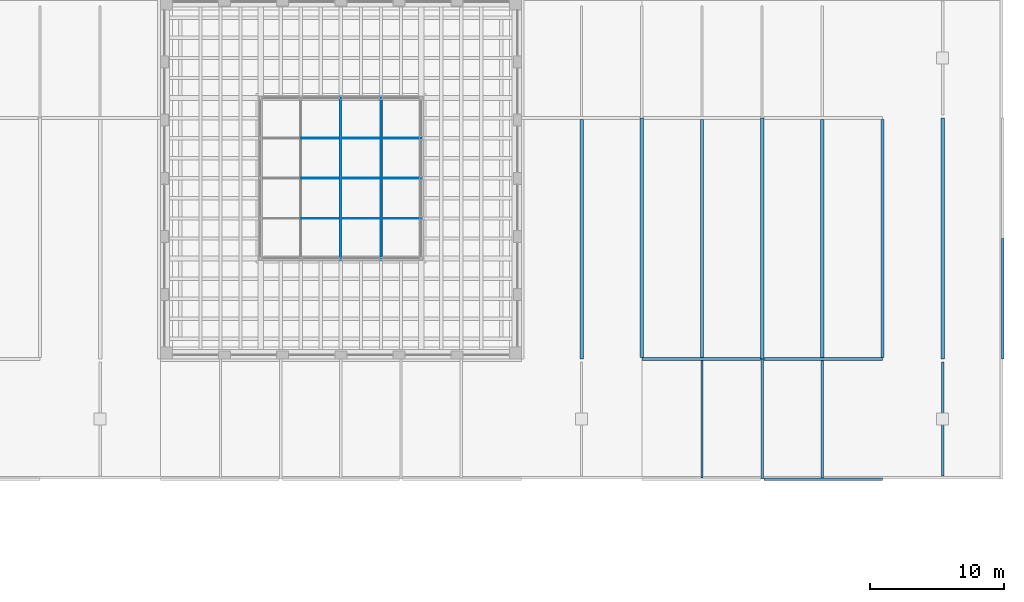
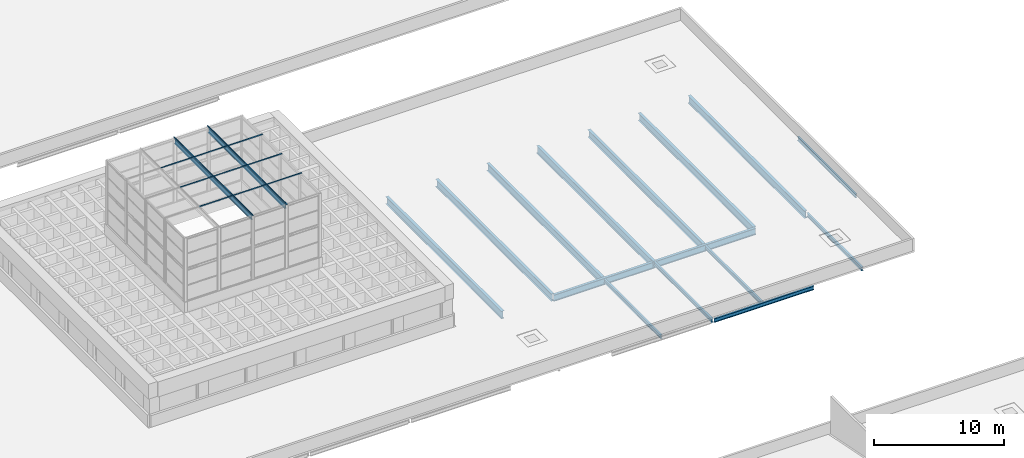
# One storey, part 30 of 50: 17 beams, 11 members, 1 element without a shape of its own.
"""IFC4 building model written with IfcOpenShell, lengths in metres."""

from ifc_helpers import new_model, si_unit, direction, frame, origin, origin_2d, place, context, subcontext, project, spatial, rectangle, i_section, extrude, material, layer, layer_set, material_profile, profile_set, type_object, element, aggregate, save


model = new_model("IFC4")

# Units and contexts
model_context = context("Model", 3, precision=1e-05, world=origin(), true_north=direction((0.0, 1.0)))
body_context = subcontext(model_context, "Body", "Model", "MODEL_VIEW")
ifc_project = project(units=[si_unit("LENGTHUNIT", "METRE"), si_unit("AREAUNIT", "SQUARE_METRE"), si_unit("VOLUMEUNIT", "CUBIC_METRE"), si_unit("PLANEANGLEUNIT", "RADIAN"), si_unit("MASSUNIT", "GRAM", prefix="KILO")], contexts=[model_context])

# Site, building, storey
site_placement = place(None, origin())
site = spatial("IfcSite", under=ifc_project, at=site_placement, CompositionType="ELEMENT")
building_placement = place(site_placement, origin())
building = spatial("IfcBuilding", under=site, at=building_placement, Name="Corbel Yard City Hall", CompositionType="ELEMENT")
storey_placement = place(building_placement, frame((0.0, 0.0, 15.0)))
storey = spatial("IfcBuildingStorey", under=building, at=storey_placement, Name="L03", CompositionType="ELEMENT", Elevation=15.0)

# Beams
ifc_material_1 = material(Name="Steel Grade 300 (300 MPa yield)", Category="steel")
ifc_material_profile_1 = material_profile(ifc_material_1, i_section(OverallWidth=0.1708984375, OverallDepth=0.35205078125, WebThickness=0.0068359375, FlangeThickness=0.009765625, at=origin_2d()), Name="360UB44.7")
ifc_profile_set_1 = profile_set([ifc_material_profile_1], Name="Steel Grade 300 (300 MPa yield)")
beam_type_1 = type_object("IfcBeamType", Name="Beam 360UB44.7", PredefinedType="BEAM", material=ifc_profile_set_1)
beam_1_placement = place(storey_placement, frame((162.0, 45.00439453125, -0.325927734375), z_axis=(0.0, 1.0, 0.0), x_axis=(-1.0, 0.0, 0.0)))
element("IfcBeam", 1, at=beam_1_placement, inside=storey, type_object=beam_type_1, Name="Beam 360UB44.7 SB13 L03roof", PredefinedType="BEAM", context=body_context, shape_type="SweptSolid", body=[
    extrude(i_section(OverallWidth=0.1708984375, OverallDepth=0.35205078125, WebThickness=0.0068359375, FlangeThickness=0.009765625, at=origin_2d()), origin(), (0.0, 0.0, 1.0), 8.990234375),
])
ifc_material_profile_2 = material_profile(ifc_material_1, i_section(OverallWidth=0.172119140625, OverallDepth=0.35888671875, WebThickness=0.008056640625, FlangeThickness=0.012939453125, at=origin_2d()), Name="360UB56.7")
ifc_profile_set_2 = profile_set([ifc_material_profile_2], Name="Steel Grade 300 (300 MPa yield)")
beam_type_2 = type_object("IfcBeamType", Name="Edge beam 360UB56.7", PredefinedType="BEAM", material=ifc_profile_set_2)
beam_2_placement = place(storey_placement, frame((162.126953125, 45.0, -0.32958984375), z_axis=(1.0, 0.0, 0.0), x_axis=(0.0, 1.0, 0.0)))
element("IfcBeam", 2, at=beam_2_placement, inside=storey, type_object=beam_type_2, Name="Edge beam 360UB56.7 EB4 L03roof", PredefinedType="BEAM", context=body_context, shape_type="SweptSolid", body=[
    extrude(i_section(OverallWidth=0.172119140625, OverallDepth=0.35888671875, WebThickness=0.008056640625, FlangeThickness=0.012939453125, at=origin_2d()), origin(), (0.0, 0.0, 1.0), 8.873046875),
])
beam_3_placement = place(storey_placement, frame((180.0, 54.0, -0.32958984375), z_axis=(0.0, 1.0, 0.0), x_axis=(-1.0, 0.0, 0.0)))
element("IfcBeam", 3, at=beam_3_placement, inside=storey, type_object=beam_type_2, Name="Edge beam 360UB56.7 EB4 L03roof", PredefinedType="BEAM", context=body_context, shape_type="SweptSolid", body=[
    extrude(i_section(OverallWidth=0.172119140625, OverallDepth=0.35888671875, WebThickness=0.008056640625, FlangeThickness=0.012939453125, at=origin_2d()), origin(), (0.0, 0.0, 1.0), 8.99560546875),
])
ifc_material_profile_3 = material_profile(ifc_material_1, i_section(OverallWidth=0.22900390625, OverallDepth=0.612060546875, WebThickness=0.011962890625, FlangeThickness=0.01953125, at=origin_2d()), Name="610UB125")
ifc_profile_set_3 = profile_set([ifc_material_profile_3], Name="Steel Grade 300 (300 MPa yield)")
beam_type_3 = type_object("IfcBeamType", Name="Girder 610UB125", PredefinedType="BEAM", material=ifc_profile_set_3)
for number, where, z_axis, x_axis, name in (
    (4, (153.0, 54.0, -0.4560546875), (1.0, 0.0, 0.0), (0.0, 1.0, 0.0), "Girder 610UB125 GB1 L03roof"),
    (5, (162.1298828125, 54.0, -0.4560546875), (1.0, 0.0, 0.0), (0.0, 1.0, 0.0), "Girder 610UB125 GB1 L03roof"),
):
    element("IfcBeam", number, at=place(storey_placement, frame(where, z_axis=z_axis, x_axis=x_axis)), inside=storey, type_object=beam_type_3, Name=name, PredefinedType="BEAM", context=body_context, shape_type="SweptSolid", body=[
        extrude(i_section(OverallWidth=0.22900390625, OverallDepth=0.612060546875, WebThickness=0.011962890625, FlangeThickness=0.01953125, at=origin_2d()), origin(), (0.0, 0.0, 1.0), 8.8701171875),
    ])
ifc_material_profile_4 = material_profile(ifc_material_1, i_section(OverallWidth=0.18994140625, OverallDepth=0.4541015625, WebThickness=0.008544921875, FlangeThickness=0.0126953125, at=origin_2d()), Name="460UB67.1")
ifc_profile_set_4 = profile_set([ifc_material_profile_4], Name="Steel Grade 300 (300 MPa yield)")
beam_type_4 = type_object("IfcBeamType", Name="Lantern roof beam 460UB67.1", PredefinedType="JOIST", material=ifc_profile_set_4)
for number, where, z_axis, x_axis, name in (
    (6, (130.5, 61.550048828125, 10.423095703125), (0.0, 1.0, 0.0), (-1.0, 0.0, 0.0), "Lantern roof beam 460UB67.1 SB23"),
    (7, (133.5, 61.550048828125, 10.423095703125), (0.0, 1.0, 0.0), (-1.0, 0.0, 0.0), "Lantern roof beam 460UB67.1 SB23"),
):
    element("IfcBeam", number, at=place(storey_placement, frame(where, z_axis=z_axis, x_axis=x_axis)), inside=storey, type_object=beam_type_4, Name=name, PredefinedType="JOIST", context=body_context, shape_type="SweptSolid", body=[
        extrude(i_section(OverallWidth=0.18994140625, OverallDepth=0.4541015625, WebThickness=0.008544921875, FlangeThickness=0.0126953125, at=origin_2d()), origin(), (0.0, 0.0, 1.0), 11.89990234375),
    ])
ifc_material_2 = material(Name="Steel Grade 350", Category="steel")
ifc_material_profile_5 = material_profile(ifc_material_2, i_section(OverallWidth=0.25, OverallDepth=0.699951171875, WebThickness=0.010009765625, FlangeThickness=0.02001953125, at=origin_2d()), Name="700WB130")
ifc_profile_set_5 = profile_set([ifc_material_profile_5], Name="Steel Grade 350")
beam_type_5 = type_object("IfcBeamType", Name="Long-span beam 700WB130", PredefinedType="BEAM", material=ifc_profile_set_5)
beam_4_placement = place(storey_placement, frame((153.0, 54.114501953125, -0.5), z_axis=(0.0, 1.0, 0.0), x_axis=(-1.0, 0.0, 0.0)))
element("IfcBeam", 8, at=beam_4_placement, inside=storey, type_object=beam_type_5, Name="Long-span beam 700WB130 SB18 L03roof", PredefinedType="BEAM", context=body_context, shape_type="SweptSolid", body=[
    extrude(i_section(OverallWidth=0.25, OverallDepth=0.699951171875, WebThickness=0.010009765625, FlangeThickness=0.02001953125, at=origin_2d()), origin(), (0.0, 0.0, 1.0), 17.880126953125),
])
beam_5_placement = place(storey_placement, frame((162.0, 54.00537109375, -0.5), z_axis=(0.0, 1.0, 0.0), x_axis=(-1.0, 0.0, 0.0)))
element("IfcBeam", 9, at=beam_5_placement, inside=storey, type_object=beam_type_5, Name="Long-span beam 700WB130 SB18 L03roof", PredefinedType="BEAM", context=body_context, shape_type="SweptSolid", body=[
    extrude(i_section(OverallWidth=0.25, OverallDepth=0.699951171875, WebThickness=0.010009765625, FlangeThickness=0.02001953125, at=origin_2d()), origin(), (0.0, 0.0, 1.0), 17.9892578125),
])
beam_6_placement = place(storey_placement, frame((171.0, 54.114501953125, -0.5), z_axis=(0.0, 1.0, 0.0), x_axis=(-1.0, 0.0, 0.0)))
element("IfcBeam", 10, at=beam_6_placement, inside=storey, type_object=beam_type_5, Name="Long-span beam 700WB130 SB18 L03roof", PredefinedType="BEAM", context=body_context, shape_type="SweptSolid", body=[
    extrude(i_section(OverallWidth=0.25, OverallDepth=0.699951171875, WebThickness=0.010009765625, FlangeThickness=0.02001953125, at=origin_2d()), origin(), (0.0, 0.0, 1.0), 17.77099609375),
])
ifc_material_profile_6 = material_profile(ifc_material_2, i_section(OverallWidth=0.25, OverallDepth=0.699951171875, WebThickness=0.010009765625, FlangeThickness=0.02001953125, at=origin_2d()), Name="700WB130")
ifc_profile_set_6 = profile_set([ifc_material_profile_6], Name="Steel Grade 350")
beam_type_6 = type_object("IfcBeamType", Name="Long-span secondary beam 700WB130", PredefinedType="JOIST", material=ifc_profile_set_6)
beam_7_placement = place(storey_placement, frame((148.5, 54.0, -0.5), z_axis=(0.0, 1.0, 0.0), x_axis=(-1.0, 0.0, 0.0)))
element("IfcBeam", 11, at=beam_7_placement, inside=storey, type_object=beam_type_6, Name="Long-span secondary beam 700WB130 SB16 L03roof", PredefinedType="JOIST", context=body_context, shape_type="SweptSolid", body=[
    extrude(i_section(OverallWidth=0.25, OverallDepth=0.699951171875, WebThickness=0.010009765625, FlangeThickness=0.02001953125, at=origin_2d()), origin(), (0.0, 0.0, 1.0), 17.885498046875),
])
for number, where, z_axis, x_axis, name in (
    (12, (157.5, 54.114501953125, -0.5), (0.0, 1.0, 0.0), (-1.0, 0.0, 0.0), "Long-span secondary beam 700WB130 SB16 L03roof"),
    (13, (166.5, 54.114501953125, -0.5), (0.0, 1.0, 0.0), (-1.0, 0.0, 0.0), "Long-span secondary beam 700WB130 SB16 L03roof"),
):
    element("IfcBeam", number, at=place(storey_placement, frame(where, z_axis=z_axis, x_axis=x_axis)), inside=storey, type_object=beam_type_6, Name=name, PredefinedType="JOIST", context=body_context, shape_type="SweptSolid", body=[
        extrude(i_section(OverallWidth=0.25, OverallDepth=0.699951171875, WebThickness=0.010009765625, FlangeThickness=0.02001953125, at=origin_2d()), origin(), (0.0, 0.0, 1.0), 17.77099609375),
    ])
beam_8_placement = place(storey_placement, frame((175.5, 54.0, -0.5), z_axis=(0.0, 1.0, 0.0), x_axis=(-1.0, 0.0, 0.0)))
element("IfcBeam", 14, at=beam_8_placement, inside=storey, type_object=beam_type_6, Name="Long-span secondary beam 700WB130 SB16 L03roof", PredefinedType="JOIST", context=body_context, shape_type="SweptSolid", body=[
    extrude(i_section(OverallWidth=0.25, OverallDepth=0.699951171875, WebThickness=0.010009765625, FlangeThickness=0.02001953125, at=origin_2d()), origin(), (0.0, 0.0, 1.0), 18.0),
])

# Curtain wall, members
ifc_material_3 = material(Name="Stainless steel Grade 316", Category="steel")
ifc_layer = layer(ifc_material_3, 0.050048828125)
ifc_layer_set = layer_set([ifc_layer], Name="Stainless steel Grade 316")
curtain_wall_type = type_object("IfcCurtainWallType", Name="CW9", PredefinedType="USERDEFINED", material=ifc_layer_set)
curtain_wall_placement = place(storey_placement, origin())
curtain_wall = element("IfcCurtainWall", 15, at=curtain_wall_placement, inside=storey, type_object=curtain_wall_type, Name="Lantern roof glazing", ObjectType="CURTAIN WALL", PredefinedType="USERDEFINED")
ifc_material_profile_7 = material_profile(ifc_material_3, rectangle(XDim=0.06005859375, YDim=0.050048828125, at=origin_2d()), Name="60x50")
ifc_profile_set_7 = profile_set([ifc_material_profile_7], Name="Stainless steel Grade 316")
member_type_1 = type_object("IfcMemberType", Name="ML9", PredefinedType="MULLION", material=ifc_profile_set_7)
member_1_placement = place(storey_placement, frame((130.5, 61.39990234375, 10.675048828125), z_axis=(0.0, 1.0, 0.0), x_axis=(-1.0, 0.0, 0.0)))
member_1 = element("IfcMember", 16, at=member_1_placement, type_object=member_type_1, Name="Lantern glazing bar", PredefinedType="MULLION", context=body_context, shape_type="SweptSolid", body=[
    extrude(rectangle(XDim=0.06005859375, YDim=0.050048828125, at=origin_2d()), origin(), (0.0, 0.0, 1.0), 12.2001953125),
])
member_2_placement = place(storey_placement, frame((133.5, 61.39990234375, 10.675048828125), z_axis=(0.0, 1.0, 0.0), x_axis=(-1.0, 0.0, 0.0)))
member_2 = element("IfcMember", 17, at=member_2_placement, type_object=member_type_1, Name="Lantern glazing bar", PredefinedType="MULLION", context=body_context, shape_type="SweptSolid", body=[
    extrude(rectangle(XDim=0.06005859375, YDim=0.050048828125, at=origin_2d()), origin(), (0.0, 0.0, 1.0), 12.2001953125),
])

# Beams
ifc_material_profile_8 = material_profile(ifc_material_1, i_section(OverallWidth=0.1708984375, OverallDepth=0.35205078125, WebThickness=0.0068359375, FlangeThickness=0.009765625, at=origin_2d()), Name="360UB44.7")
ifc_profile_set_8 = profile_set([ifc_material_profile_8], Name="Steel Grade 300 (300 MPa yield)")
beam_type_7 = type_object("IfcBeamType", Name="Secondary beam 360UB44.7", PredefinedType="JOIST", material=ifc_profile_set_8)
for number, where, z_axis, x_axis, name in (
    (18, (157.5, 45.0859375, -0.325927734375), (0.0, 1.0, 0.0), (-1.0, 0.0, 0.0), "Secondary beam 360UB44.7 SB11 L03roof"),
    (19, (166.5, 45.0859375, -0.325927734375), (0.0, 1.0, 0.0), (-1.0, 0.0, 0.0), "Secondary beam 360UB44.7 SB11 L03roof"),
):
    element("IfcBeam", number, at=place(storey_placement, frame(where, z_axis=z_axis, x_axis=x_axis)), inside=storey, type_object=beam_type_7, Name=name, PredefinedType="JOIST", context=body_context, shape_type="SweptSolid", body=[
        extrude(i_section(OverallWidth=0.1708984375, OverallDepth=0.35205078125, WebThickness=0.0068359375, FlangeThickness=0.009765625, at=origin_2d()), origin(), (0.0, 0.0, 1.0), 8.799560546875),
    ])
beam_9_placement = place(storey_placement, frame((175.5, 45.25, -0.325927734375), z_axis=(0.0, 1.0, 0.0), x_axis=(-1.0, 0.0, 0.0)))
element("IfcBeam", 20, at=beam_9_placement, inside=storey, type_object=beam_type_7, Name="Core roof beam 360UB44.7 SB11 PC-M5", PredefinedType="JOIST", context=body_context, shape_type="SweptSolid", body=[
    extrude(i_section(OverallWidth=0.1708984375, OverallDepth=0.35205078125, WebThickness=0.0068359375, FlangeThickness=0.009765625, at=origin_2d()), origin(), (0.0, 0.0, 1.0), 8.5),
])

# Member
ifc_material_profile_9 = material_profile(ifc_material_3, rectangle(XDim=0.06005859375, YDim=0.050048828125, at=origin_2d()), Name="60x50")
ifc_profile_set_9 = profile_set([ifc_material_profile_9], Name="Stainless steel Grade 316")
member_type_2 = type_object("IfcMemberType", Name="TR9", PredefinedType="USERDEFINED", material=ifc_profile_set_9)
member_3_placement = place(storey_placement, frame((127.530029296875, 64.5, 10.675048828125), z_axis=(1.0, 0.0, 0.0), x_axis=(0.0, 1.0, 0.0)))
member_3 = element("IfcMember", 21, at=member_3_placement, type_object=member_type_2, Name="Lantern glazing bar", ObjectType="TRANSOM", PredefinedType="USERDEFINED", context=body_context, shape_type="SweptSolid", body=[
    extrude(rectangle(XDim=0.06005859375, YDim=0.050048828125, at=origin_2d()), origin(), (0.0, 0.0, 1.0), 2.93994140625),
])

member_4_placement = place(storey_placement, frame((130.530029296875, 64.5, 10.675048828125), z_axis=(1.0, 0.0, 0.0), x_axis=(0.0, 1.0, 0.0)))
member_4 = element("IfcMember", 22, at=member_4_placement, type_object=member_type_2, Name="Lantern glazing bar", ObjectType="TRANSOM", PredefinedType="USERDEFINED", context=body_context, shape_type="SweptSolid", body=[
    extrude(rectangle(XDim=0.06005859375, YDim=0.050048828125, at=origin_2d()), origin(), (0.0, 0.0, 1.0), 2.93994140625),
])

member_5_placement = place(storey_placement, frame((133.530029296875, 64.5, 10.675048828125), z_axis=(1.0, 0.0, 0.0), x_axis=(0.0, 1.0, 0.0)))
member_5 = element("IfcMember", 23, at=member_5_placement, type_object=member_type_2, Name="Lantern glazing bar", ObjectType="TRANSOM", PredefinedType="USERDEFINED", context=body_context, shape_type="SweptSolid", body=[
    extrude(rectangle(XDim=0.06005859375, YDim=0.050048828125, at=origin_2d()), origin(), (0.0, 0.0, 1.0), 3.070068359375),
])

member_6_placement = place(storey_placement, frame((127.530029296875, 67.5, 10.675048828125), z_axis=(1.0, 0.0, 0.0), x_axis=(0.0, 1.0, 0.0)))
member_6 = element("IfcMember", 24, at=member_6_placement, type_object=member_type_2, Name="Lantern glazing bar", ObjectType="TRANSOM", PredefinedType="USERDEFINED", context=body_context, shape_type="SweptSolid", body=[
    extrude(rectangle(XDim=0.06005859375, YDim=0.050048828125, at=origin_2d()), origin(), (0.0, 0.0, 1.0), 2.93994140625),
])

member_7_placement = place(storey_placement, frame((130.530029296875, 67.5, 10.675048828125), z_axis=(1.0, 0.0, 0.0), x_axis=(0.0, 1.0, 0.0)))
member_7 = element("IfcMember", 25, at=member_7_placement, type_object=member_type_2, Name="Lantern glazing bar", ObjectType="TRANSOM", PredefinedType="USERDEFINED", context=body_context, shape_type="SweptSolid", body=[
    extrude(rectangle(XDim=0.06005859375, YDim=0.050048828125, at=origin_2d()), origin(), (0.0, 0.0, 1.0), 2.93994140625),
])

member_8_placement = place(storey_placement, frame((133.530029296875, 67.5, 10.675048828125), z_axis=(1.0, 0.0, 0.0), x_axis=(0.0, 1.0, 0.0)))
member_8 = element("IfcMember", 26, at=member_8_placement, type_object=member_type_2, Name="Lantern glazing bar", ObjectType="TRANSOM", PredefinedType="USERDEFINED", context=body_context, shape_type="SweptSolid", body=[
    extrude(rectangle(XDim=0.06005859375, YDim=0.050048828125, at=origin_2d()), origin(), (0.0, 0.0, 1.0), 3.070068359375),
])

member_9_placement = place(storey_placement, frame((127.530029296875, 70.5, 10.675048828125), z_axis=(1.0, 0.0, 0.0), x_axis=(0.0, 1.0, 0.0)))
member_9 = element("IfcMember", 27, at=member_9_placement, type_object=member_type_2, Name="Lantern glazing bar", ObjectType="TRANSOM", PredefinedType="USERDEFINED", context=body_context, shape_type="SweptSolid", body=[
    extrude(rectangle(XDim=0.06005859375, YDim=0.050048828125, at=origin_2d()), origin(), (0.0, 0.0, 1.0), 2.93994140625),
])

member_10_placement = place(storey_placement, frame((130.530029296875, 70.5, 10.675048828125), z_axis=(1.0, 0.0, 0.0), x_axis=(0.0, 1.0, 0.0)))
member_10 = element("IfcMember", 28, at=member_10_placement, type_object=member_type_2, Name="Lantern glazing bar", ObjectType="TRANSOM", PredefinedType="USERDEFINED", context=body_context, shape_type="SweptSolid", body=[
    extrude(rectangle(XDim=0.06005859375, YDim=0.050048828125, at=origin_2d()), origin(), (0.0, 0.0, 1.0), 2.93994140625),
])

member_11_placement = place(storey_placement, frame((133.530029296875, 70.5, 10.675048828125), z_axis=(1.0, 0.0, 0.0), x_axis=(0.0, 1.0, 0.0)))
member_11 = element("IfcMember", 29, at=member_11_placement, type_object=member_type_2, Name="Lantern glazing bar", ObjectType="TRANSOM", PredefinedType="USERDEFINED", context=body_context, shape_type="SweptSolid", body=[
    extrude(rectangle(XDim=0.06005859375, YDim=0.050048828125, at=origin_2d()), origin(), (0.0, 0.0, 1.0), 3.070068359375),
])

aggregate(curtain_wall, [member_1, member_2, member_3, member_4, member_5, member_6, member_7, member_8, member_9, member_10, member_11])

save(model, "model.ifc")
